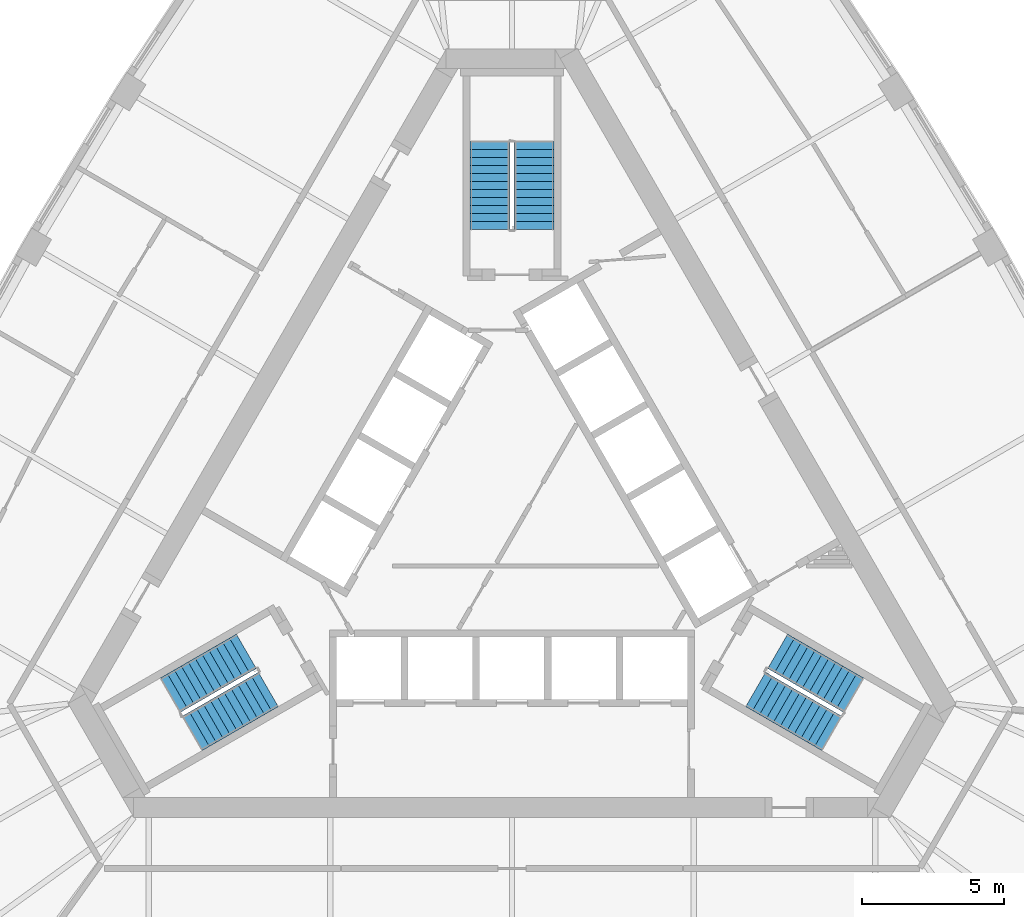
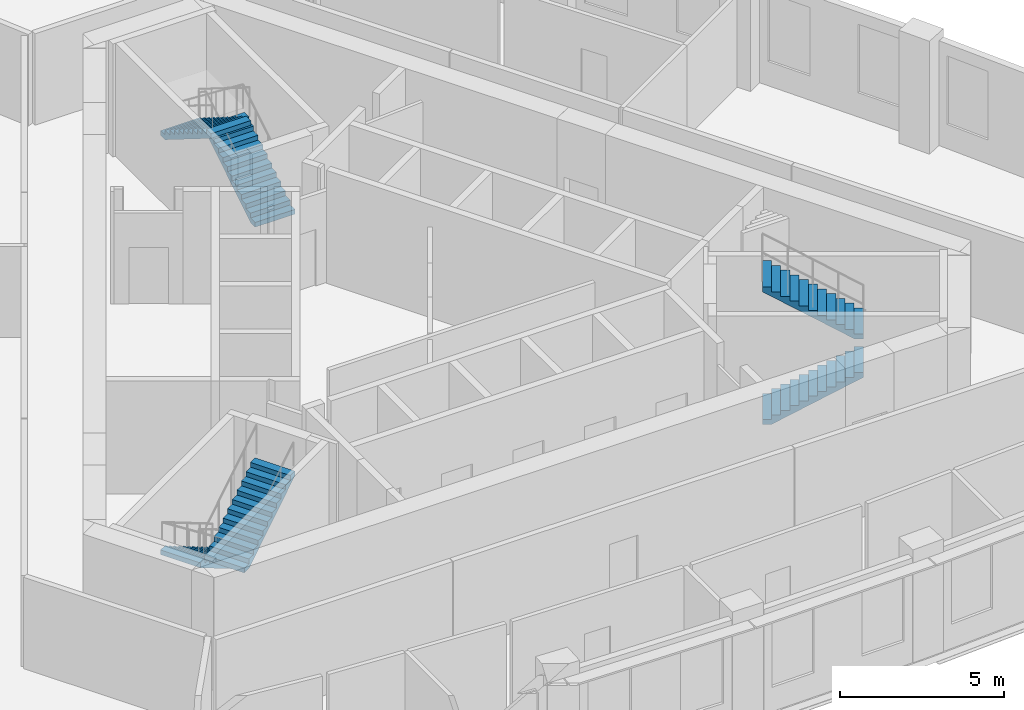
# One storey, part 10 of 11: 6 stair flights, 3 elements without a shape of their own.
"""IFC4 building model written with IfcOpenShell, lengths in metres."""

from ifc_helpers import new_model, si_unit, direction, frame, origin, place, context, subcontext, project, spatial, polyline, outline, extrude, material, type_object, element, aggregate, save


model = new_model("IFC4")

# Units and contexts
model_context = context("Model", 3, precision=1e-05, world=origin(), true_north=direction((0.0, 1.0)))
body_context = subcontext(model_context, "Body", "Model", "MODEL_VIEW")
ifc_project = project(units=[si_unit("LENGTHUNIT", "METRE"), si_unit("AREAUNIT", "SQUARE_METRE"), si_unit("VOLUMEUNIT", "CUBIC_METRE"), si_unit("PLANEANGLEUNIT", "RADIAN"), si_unit("MASSUNIT", "GRAM", prefix="KILO")], contexts=[model_context])

# Site, building, storey
site_placement = place(None, origin())
site = spatial("IfcSite", under=ifc_project, at=site_placement, CompositionType="ELEMENT")
building_placement = place(site_placement, origin())
building = spatial("IfcBuilding", under=site, at=building_placement, Name="Mestral Congress Tower", CompositionType="ELEMENT")
storey_placement = place(building_placement, frame((0.0, 0.0, 252.0)))
storey = spatial("IfcBuildingStorey", under=building, at=storey_placement, Name="L59", CompositionType="ELEMENT", Elevation=252.0)

# Stair, stair flights
ifc_material = material(Name="Concrete C60/75", Category="concrete")
stair_type = type_object("IfcStairType", Name="Exit stair 1400", PredefinedType="HALF_TURN_STAIR", material=ifc_material)
placement = place(storey_placement, origin())
stair_1 = element("IfcStair", 1, at=placement, inside=storey, type_object=stair_type, Name="L59 ST1", PredefinedType="HALF_TURN_STAIR")
stair_flight_type = type_object("IfcStairFlightType", Name="Exit stair flight 1400", PredefinedType="STRAIGHT", material=ifc_material)
stair_flight_1_placement = place(storey_placement, frame((8.575927734375, -5.84619140625, 0.0), z_axis=(0.0, 0.0, 1.0), x_axis=(0.866025403784, -0.5, 0.0)))
stair_flight_1 = element("IfcStairFlight", 2, at=stair_flight_1_placement, type_object=stair_flight_type, Name="ST1 flight 1", NumberOfRisers=12, NumberOfTreads=11, PredefinedType="STRAIGHT", RiserHeight=0.175, TreadLength=0.28, context=body_context, shape_type="SweptSolid", body=[
    extrude(outline(polyline([(0.0, 0.0), (0.0, 0.175048828125), (0.280029296875, 0.175048828125), (0.280029296875, 0.35009765625), (0.56005859375, 0.35009765625), (0.56005859375, 0.52490234375), (0.840087890625, 0.52490234375), (0.840087890625, 0.699951171875), (1.1201171875, 0.699951171875), (1.1201171875, 0.875), (1.39990234375, 0.875), (1.39990234375, 1.050048828125), (1.679931640625, 1.050048828125), (1.679931640625, 1.22509765625), (1.9599609375, 1.22509765625), (1.9599609375, 1.39990234375), (2.239990234375, 1.39990234375), (2.239990234375, 1.574951171875), (2.52001953125, 1.574951171875), (2.52001953125, 1.75), (2.800048828125, 1.75), (2.800048828125, 1.925048828125), (3.080078125, 1.925048828125), (3.080078125, 2.10009765625), (3.080078125, 1.748291015625), (0.28271484375, 0.0), (0.0, 0.0)])), frame((0.0, 0.699951171875, 0.0), z_axis=(0.0, -1.0, 0.0), x_axis=(1.0, 0.0, 0.0)), (0.0, 0.0, 1.0), 1.39990234375),
])
stair_flight_2_placement = place(storey_placement, frame((12.018310546875, -6.0439453125, 2.10009765625), z_axis=(0.0, 0.0, 1.0), x_axis=(-0.866025403784, 0.5, 0.0)))
stair_flight_2 = element("IfcStairFlight", 3, at=stair_flight_2_placement, type_object=stair_flight_type, Name="ST1 flight 2", NumberOfRisers=12, NumberOfTreads=11, PredefinedType="STRAIGHT", RiserHeight=0.175, TreadLength=0.28, context=body_context, shape_type="SweptSolid", body=[
    extrude(outline(polyline([(0.0, 0.0), (0.0, 0.175048828125), (0.280029296875, 0.175048828125), (0.280029296875, 0.35009765625), (0.56005859375, 0.35009765625), (0.56005859375, 0.52490234375), (0.840087890625, 0.52490234375), (0.840087890625, 0.699951171875), (1.1201171875, 0.699951171875), (1.1201171875, 0.875), (1.39990234375, 0.875), (1.39990234375, 1.050048828125), (1.679931640625, 1.050048828125), (1.679931640625, 1.22509765625), (1.9599609375, 1.22509765625), (1.9599609375, 1.39990234375), (2.239990234375, 1.39990234375), (2.239990234375, 1.574951171875), (2.52001953125, 1.574951171875), (2.52001953125, 1.75), (2.800048828125, 1.75), (2.800048828125, 1.925048828125), (3.080078125, 1.925048828125), (3.080078125, 2.10009765625), (3.080078125, 1.748291015625), (0.28271484375, 0.0), (0.0, 0.0)])), frame((0.0, 0.699951171875, 0.0), z_axis=(0.0, -1.0, 0.0), x_axis=(1.0, 0.0, 0.0)), (0.0, 0.0, 1.0), 1.39990234375),
])
aggregate(stair_1, [stair_flight_1, stair_flight_2])

stair_2 = element("IfcStair", 4, at=placement, inside=storey, type_object=stair_type, Name="L59 ST2", PredefinedType="HALF_TURN_STAIR")
stair_flight_3_placement = place(storey_placement, frame((0.77490234375, 10.35009765625, 0.0), z_axis=(0.0, 0.0, 1.0), x_axis=(0.0, 1.0, 0.0)))
stair_flight_3 = element("IfcStairFlight", 5, at=stair_flight_3_placement, type_object=stair_flight_type, Name="ST2 flight 1", NumberOfRisers=12, NumberOfTreads=11, PredefinedType="STRAIGHT", RiserHeight=0.175, TreadLength=0.28, context=body_context, shape_type="SweptSolid", body=[
    extrude(outline(polyline([(0.0, 0.0), (0.0, 0.175048828125), (0.280029296875, 0.175048828125), (0.280029296875, 0.35009765625), (0.56005859375, 0.35009765625), (0.56005859375, 0.52490234375), (0.840087890625, 0.52490234375), (0.840087890625, 0.699951171875), (1.1201171875, 0.699951171875), (1.1201171875, 0.875), (1.39990234375, 0.875), (1.39990234375, 1.050048828125), (1.679931640625, 1.050048828125), (1.679931640625, 1.22509765625), (1.9599609375, 1.22509765625), (1.9599609375, 1.39990234375), (2.239990234375, 1.39990234375), (2.239990234375, 1.574951171875), (2.52001953125, 1.574951171875), (2.52001953125, 1.75), (2.800048828125, 1.75), (2.800048828125, 1.925048828125), (3.080078125, 1.925048828125), (3.080078125, 2.10009765625), (3.080078125, 1.748291015625), (0.28271484375, 0.0), (0.0, 0.0)])), frame((0.0, 0.699951171875, 0.0), z_axis=(0.0, -1.0, 0.0), x_axis=(1.0, 0.0, 0.0)), (0.0, 0.0, 1.0), 1.39990234375),
])
stair_flight_4_placement = place(storey_placement, frame((-0.77490234375, 13.429931640625, 2.10009765625), z_axis=(0.0, 0.0, 1.0), x_axis=(0.0, -1.0, 0.0)))
stair_flight_4 = element("IfcStairFlight", 6, at=stair_flight_4_placement, type_object=stair_flight_type, Name="ST2 flight 2", NumberOfRisers=12, NumberOfTreads=11, PredefinedType="STRAIGHT", RiserHeight=0.175, TreadLength=0.28, context=body_context, shape_type="SweptSolid", body=[
    extrude(outline(polyline([(0.0, 0.0), (0.0, 0.175048828125), (0.280029296875, 0.175048828125), (0.280029296875, 0.35009765625), (0.56005859375, 0.35009765625), (0.56005859375, 0.52490234375), (0.840087890625, 0.52490234375), (0.840087890625, 0.699951171875), (1.1201171875, 0.699951171875), (1.1201171875, 0.875), (1.39990234375, 0.875), (1.39990234375, 1.050048828125), (1.679931640625, 1.050048828125), (1.679931640625, 1.22509765625), (1.9599609375, 1.22509765625), (1.9599609375, 1.39990234375), (2.239990234375, 1.39990234375), (2.239990234375, 1.574951171875), (2.52001953125, 1.574951171875), (2.52001953125, 1.75), (2.800048828125, 1.75), (2.800048828125, 1.925048828125), (3.080078125, 1.925048828125), (3.080078125, 2.10009765625), (3.080078125, 1.748291015625), (0.28271484375, 0.0), (0.0, 0.0)])), frame((0.0, 0.699951171875, 0.0), z_axis=(0.0, -1.0, 0.0), x_axis=(1.0, 0.0, 0.0)), (0.0, 0.0, 1.0), 1.39990234375),
])
aggregate(stair_2, [stair_flight_3, stair_flight_4])

stair_3 = element("IfcStair", 7, at=placement, inside=storey, type_object=stair_type, Name="L59 ST3", PredefinedType="HALF_TURN_STAIR")
stair_flight_5_placement = place(storey_placement, frame((-9.350830078125, -4.50390625, 0.0), z_axis=(0.0, 0.0, 1.0), x_axis=(-0.866025403784, -0.5, 0.0)))
stair_flight_5 = element("IfcStairFlight", 8, at=stair_flight_5_placement, type_object=stair_flight_type, Name="ST3 flight 1", NumberOfRisers=12, NumberOfTreads=11, PredefinedType="STRAIGHT", RiserHeight=0.175, TreadLength=0.28, context=body_context, shape_type="SweptSolid", body=[
    extrude(outline(polyline([(0.0, 0.0), (0.0, 0.175048828125), (0.280029296875, 0.175048828125), (0.280029296875, 0.35009765625), (0.56005859375, 0.35009765625), (0.56005859375, 0.52490234375), (0.840087890625, 0.52490234375), (0.840087890625, 0.699951171875), (1.1201171875, 0.699951171875), (1.1201171875, 0.875), (1.39990234375, 0.875), (1.39990234375, 1.050048828125), (1.679931640625, 1.050048828125), (1.679931640625, 1.22509765625), (1.9599609375, 1.22509765625), (1.9599609375, 1.39990234375), (2.239990234375, 1.39990234375), (2.239990234375, 1.574951171875), (2.52001953125, 1.574951171875), (2.52001953125, 1.75), (2.800048828125, 1.75), (2.800048828125, 1.925048828125), (3.080078125, 1.925048828125), (3.080078125, 2.10009765625), (3.080078125, 1.748291015625), (0.28271484375, 0.0), (0.0, 0.0)])), frame((0.0, 0.699951171875, 0.0), z_axis=(0.0, -1.0, 0.0), x_axis=(1.0, 0.0, 0.0)), (0.0, 0.0, 1.0), 1.39990234375),
])
stair_flight_6_placement = place(storey_placement, frame((-11.2431640625, -7.38623046875, 2.10009765625), z_axis=(0.0, 0.0, 1.0), x_axis=(0.866025403784, 0.5, 0.0)))
stair_flight_6 = element("IfcStairFlight", 9, at=stair_flight_6_placement, type_object=stair_flight_type, Name="ST3 flight 2", NumberOfRisers=12, NumberOfTreads=11, PredefinedType="STRAIGHT", RiserHeight=0.175, TreadLength=0.28, context=body_context, shape_type="SweptSolid", body=[
    extrude(outline(polyline([(0.0, 0.0), (0.0, 0.175048828125), (0.280029296875, 0.175048828125), (0.280029296875, 0.35009765625), (0.56005859375, 0.35009765625), (0.56005859375, 0.52490234375), (0.840087890625, 0.52490234375), (0.840087890625, 0.699951171875), (1.1201171875, 0.699951171875), (1.1201171875, 0.875), (1.39990234375, 0.875), (1.39990234375, 1.050048828125), (1.679931640625, 1.050048828125), (1.679931640625, 1.22509765625), (1.9599609375, 1.22509765625), (1.9599609375, 1.39990234375), (2.239990234375, 1.39990234375), (2.239990234375, 1.574951171875), (2.52001953125, 1.574951171875), (2.52001953125, 1.75), (2.800048828125, 1.75), (2.800048828125, 1.925048828125), (3.080078125, 1.925048828125), (3.080078125, 2.10009765625), (3.080078125, 1.748291015625), (0.28271484375, 0.0), (0.0, 0.0)])), frame((0.0, 0.699951171875, 0.0), z_axis=(0.0, -1.0, 0.0), x_axis=(1.0, 0.0, 0.0)), (0.0, 0.0, 1.0), 1.39990234375),
])
aggregate(stair_3, [stair_flight_5, stair_flight_6])

save(model, "model.ifc")
